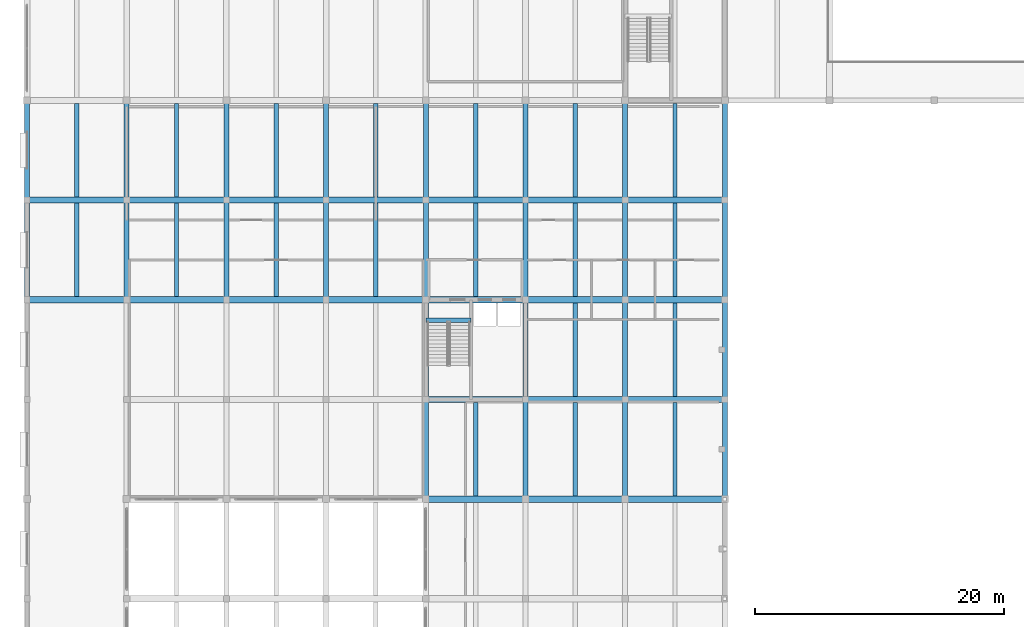
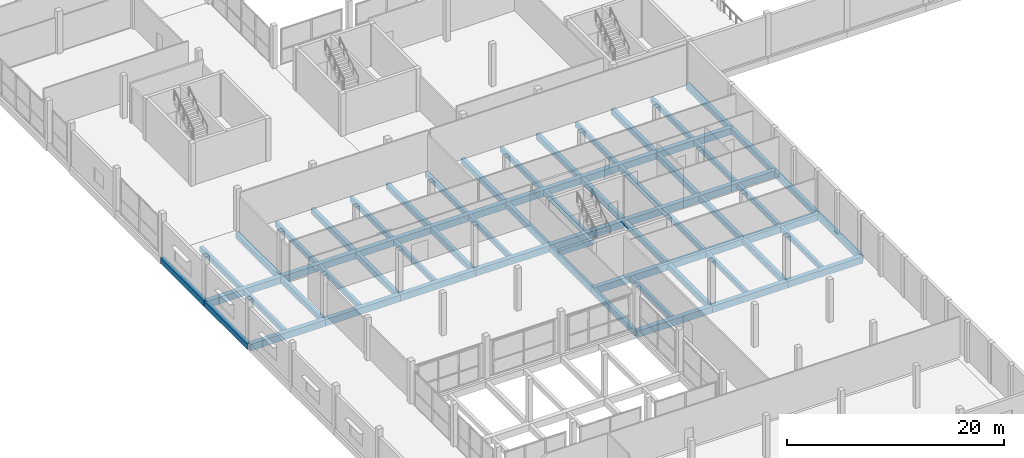
# One storey, part 10 of 47: 64 beams.
"""IFC4 building model written with IfcOpenShell, lengths in metres."""

from ifc_helpers import new_model, si_unit, direction, frame, origin, origin_2d, place, context, subcontext, project, spatial, rectangle, extrude, material, material_profile, profile_set, type_object, element, save


model = new_model("IFC4")

# Units and contexts
model_context = context("Model", 3, precision=1e-05, world=origin(), true_north=direction((0.0, 1.0)))
body_context = subcontext(model_context, "Body", "Model", "MODEL_VIEW")
ifc_project = project(units=[si_unit("LENGTHUNIT", "METRE"), si_unit("AREAUNIT", "SQUARE_METRE"), si_unit("VOLUMEUNIT", "CUBIC_METRE"), si_unit("PLANEANGLEUNIT", "RADIAN"), si_unit("MASSUNIT", "GRAM", prefix="KILO")], contexts=[model_context])

# Site, building, storey
site_placement = place(None, origin())
site = spatial("IfcSite", under=ifc_project, at=site_placement, CompositionType="ELEMENT")
building_placement = place(site_placement, origin())
building = spatial("IfcBuilding", under=site, at=building_placement, Name="Vharandega Faculty of Natural Sciences", CompositionType="ELEMENT")
storey_placement = place(building_placement, frame((0.0, 0.0, 5.39990234375)))
storey = spatial("IfcBuildingStorey", under=building, at=storey_placement, Name="L01", CompositionType="ELEMENT", Elevation=5.39990234375)

# Beams
ifc_material_1 = material(Name="Concrete C40/50", Category="concrete")
ifc_material_profile_1 = material_profile(ifc_material_1, rectangle(XDim=0.39990234375, YDim=0.64990234375, at=origin_2d()), Name="RC 400x650")
ifc_profile_set_1 = profile_set([ifc_material_profile_1], Name="Concrete C40/50")
beam_type_1 = type_object("IfcBeamType", Name="Podium Floor Beam 400x650", PredefinedType="BEAM", material=ifc_profile_set_1)
for number, where, z_axis, x_axis, name in (
    (1, (0.0, 48.0, -0.60498046875), (0.0, 1.0, 0.0), (-1.0, 0.0, 0.0), "Beam L01 1/G-H"),
    (2, (0.0, 56.0, -0.60498046875), (0.0, 1.0, 0.0), (-1.0, 0.0, 0.0), "Beam L01 1/H-J"),
    (3, (8.0, 48.0, -0.60498046875), (0.0, 1.0, 0.0), (-1.0, 0.0, 0.0), "Beam L01 2/G-H"),
    (4, (8.0, 56.0, -0.60498046875), (0.0, 1.0, 0.0), (-1.0, 0.0, 0.0), "Beam L01 2/H-J"),
    (5, (16.0, 48.0, -0.60498046875), (0.0, 1.0, 0.0), (-1.0, 0.0, 0.0), "Beam L01 3/G-H"),
    (6, (16.0, 56.0, -0.60498046875), (0.0, 1.0, 0.0), (-1.0, 0.0, 0.0), "Beam L01 3/H-J"),
    (7, (24.0, 48.0, -0.60498046875), (0.0, 1.0, 0.0), (-1.0, 0.0, 0.0), "Beam L01 4/G-H"),
    (8, (24.0, 56.0, -0.60498046875), (0.0, 1.0, 0.0), (-1.0, 0.0, 0.0), "Beam L01 4/H-J"),
    (9, (32.0, 32.0, -0.60498046875), (0.0, 1.0, 0.0), (-1.0, 0.0, 0.0), "Beam L01 5/E-F"),
    (10, (32.0, 40.0, -0.60498046875), (0.0, 1.0, 0.0), (-1.0, 0.0, 0.0), "Beam L01 5/F-G"),
    (11, (32.0, 48.0, -0.60498046875), (0.0, 1.0, 0.0), (-1.0, 0.0, 0.0), "Beam L01 5/G-H"),
    (12, (32.0, 56.0, -0.60498046875), (0.0, 1.0, 0.0), (-1.0, 0.0, 0.0), "Beam L01 5/H-J"),
    (13, (40.0, 32.0, -0.60498046875), (0.0, 1.0, 0.0), (-1.0, 0.0, 0.0), "Beam L01 6/E-F"),
    (14, (40.0, 40.0, -0.60498046875), (0.0, 1.0, 0.0), (-1.0, 0.0, 0.0), "Beam L01 6/F-G"),
    (15, (40.0, 48.0, -0.60498046875), (0.0, 1.0, 0.0), (-1.0, 0.0, 0.0), "Beam L01 6/G-H"),
    (16, (40.0, 56.0, -0.60498046875), (0.0, 1.0, 0.0), (-1.0, 0.0, 0.0), "Beam L01 6/H-J"),
    (17, (48.0, 32.0, -0.60498046875), (0.0, 1.0, 0.0), (-1.0, 0.0, 0.0), "Beam L01 7/E-F"),
    (18, (48.0, 40.0, -0.60498046875), (0.0, 1.0, 0.0), (-1.0, 0.0, 0.0), "Beam L01 7/F-G"),
    (19, (48.0, 48.0, -0.60498046875), (0.0, 1.0, 0.0), (-1.0, 0.0, 0.0), "Beam L01 7/G-H"),
    (20, (48.0, 56.0, -0.60498046875), (0.0, 1.0, 0.0), (-1.0, 0.0, 0.0), "Beam L01 7/H-J"),
    (21, (56.0, 32.0, -0.60498046875), (0.0, 1.0, 0.0), (-1.0, 0.0, 0.0), "Beam L01 8/E-F"),
    (22, (56.0, 40.0, -0.60498046875), (0.0, 1.0, 0.0), (-1.0, 0.0, 0.0), "Beam L01 8/F-G"),
    (23, (56.0, 48.0, -0.60498046875), (0.0, 1.0, 0.0), (-1.0, 0.0, 0.0), "Beam L01 8/G-H"),
    (24, (56.0, 56.0, -0.60498046875), (0.0, 1.0, 0.0), (-1.0, 0.0, 0.0), "Beam L01 8/H-J"),
):
    element("IfcBeam", number, at=place(storey_placement, frame(where, z_axis=z_axis, x_axis=x_axis)), inside=storey, type_object=beam_type_1, Name=name, PredefinedType="BEAM", context=body_context, shape_type="SweptSolid", body=[
        extrude(rectangle(XDim=0.39990234375, YDim=0.64990234375, at=origin_2d()), origin(), (0.0, 0.0, 1.0), 8.0),
    ])
ifc_material_2 = material(Name="Concrete C40/50", Category="concrete")
ifc_material_profile_2 = material_profile(ifc_material_2, rectangle(XDim=0.5, YDim=0.75, at=origin_2d()), Name="RC 500x750")
ifc_profile_set_2 = profile_set([ifc_material_profile_2], Name="Concrete C40/50")
beam_type_2 = type_object("IfcBeamType", Name="Podium Primary Beam 500x750", PredefinedType="BEAM", material=ifc_profile_set_2)
for number, where, z_axis, x_axis, name in (
    (25, (32.0, 32.0, -0.65478515625), (1.0, 0.0, 0.0), (0.0, 1.0, 0.0), "Beam L01 E/5-6"),
    (26, (40.0, 32.0, -0.65478515625), (1.0, 0.0, 0.0), (0.0, 1.0, 0.0), "Beam L01 E/6-7"),
    (27, (48.0, 32.0, -0.65478515625), (1.0, 0.0, 0.0), (0.0, 1.0, 0.0), "Beam L01 E/7-8"),
    (28, (32.0, 40.0, -0.65478515625), (1.0, 0.0, 0.0), (0.0, 1.0, 0.0), "Beam L01 F/5-6"),
    (29, (40.0, 40.0, -0.65478515625), (1.0, 0.0, 0.0), (0.0, 1.0, 0.0), "Beam L01 F/6-7"),
    (30, (48.0, 40.0, -0.65478515625), (1.0, 0.0, 0.0), (0.0, 1.0, 0.0), "Beam L01 F/7-8"),
    (31, (0.0, 48.0, -0.65478515625), (1.0, 0.0, 0.0), (0.0, 1.0, 0.0), "Beam L01 G/1-2"),
    (32, (8.0, 48.0, -0.65478515625), (1.0, 0.0, 0.0), (0.0, 1.0, 0.0), "Beam L01 G/2-3"),
    (33, (16.0, 48.0, -0.65478515625), (1.0, 0.0, 0.0), (0.0, 1.0, 0.0), "Beam L01 G/3-4"),
    (34, (24.0, 48.0, -0.65478515625), (1.0, 0.0, 0.0), (0.0, 1.0, 0.0), "Beam L01 G/4-5"),
    (35, (32.0, 48.0, -0.65478515625), (1.0, 0.0, 0.0), (0.0, 1.0, 0.0), "Beam L01 G/5-6"),
    (36, (40.0, 48.0, -0.65478515625), (1.0, 0.0, 0.0), (0.0, 1.0, 0.0), "Beam L01 G/6-7"),
    (37, (48.0, 48.0, -0.65478515625), (1.0, 0.0, 0.0), (0.0, 1.0, 0.0), "Beam L01 G/7-8"),
    (38, (0.0, 56.0, -0.65478515625), (1.0, 0.0, 0.0), (0.0, 1.0, 0.0), "Beam L01 H/1-2"),
    (39, (8.0, 56.0, -0.65478515625), (1.0, 0.0, 0.0), (0.0, 1.0, 0.0), "Beam L01 H/2-3"),
    (40, (16.0, 56.0, -0.65478515625), (1.0, 0.0, 0.0), (0.0, 1.0, 0.0), "Beam L01 H/3-4"),
    (41, (24.0, 56.0, -0.65478515625), (1.0, 0.0, 0.0), (0.0, 1.0, 0.0), "Beam L01 H/4-5"),
    (42, (32.0, 56.0, -0.65478515625), (1.0, 0.0, 0.0), (0.0, 1.0, 0.0), "Beam L01 H/5-6"),
    (43, (40.0, 56.0, -0.65478515625), (1.0, 0.0, 0.0), (0.0, 1.0, 0.0), "Beam L01 H/6-7"),
    (44, (48.0, 56.0, -0.65478515625), (1.0, 0.0, 0.0), (0.0, 1.0, 0.0), "Beam L01 H/7-8"),
):
    element("IfcBeam", number, at=place(storey_placement, frame(where, z_axis=z_axis, x_axis=x_axis)), inside=storey, type_object=beam_type_2, Name=name, PredefinedType="BEAM", context=body_context, shape_type="SweptSolid", body=[
        extrude(rectangle(XDim=0.5, YDim=0.75, at=origin_2d()), origin(), (0.0, 0.0, 1.0), 8.0),
    ])
ifc_material_3 = material(Name="Concrete C40/50", Category="concrete")
ifc_material_profile_3 = material_profile(ifc_material_3, rectangle(XDim=0.35009765625, YDim=0.550048828125, at=origin_2d()), Name="RC 350x550")
ifc_profile_set_3 = profile_set([ifc_material_profile_3], Name="Concrete C40/50")
beam_type_3 = type_object("IfcBeamType", Name="Podium Secondary Beam 350x550", PredefinedType="JOIST", material=ifc_profile_set_3)
for number, where, z_axis, x_axis, name in (
    (45, (4.0, 48.25, -0.554931640625), (0.0, 1.0, 0.0), (-1.0, 0.0, 0.0), "Secondary Joist L01 1-2/G-H"),
    (46, (4.0, 56.25, -0.554931640625), (0.0, 1.0, 0.0), (-1.0, 0.0, 0.0), "Secondary Joist L01 1-2/H-J"),
    (47, (12.0, 48.25, -0.554931640625), (0.0, 1.0, 0.0), (-1.0, 0.0, 0.0), "Secondary Joist L01 2-3/G-H"),
    (48, (12.0, 56.25, -0.554931640625), (0.0, 1.0, 0.0), (-1.0, 0.0, 0.0), "Secondary Joist L01 2-3/H-J"),
    (49, (20.0, 48.25, -0.554931640625), (0.0, 1.0, 0.0), (-1.0, 0.0, 0.0), "Secondary Joist L01 3-4/G-H"),
    (50, (20.0, 56.25, -0.554931640625), (0.0, 1.0, 0.0), (-1.0, 0.0, 0.0), "Secondary Joist L01 3-4/H-J"),
    (51, (28.0, 48.25, -0.554931640625), (0.0, 1.0, 0.0), (-1.0, 0.0, 0.0), "Secondary Joist L01 4-5/G-H"),
    (52, (28.0, 56.25, -0.554931640625), (0.0, 1.0, 0.0), (-1.0, 0.0, 0.0), "Secondary Joist L01 4-5/H-J"),
    (53, (36.0, 32.25, -0.554931640625), (0.0, 1.0, 0.0), (-1.0, 0.0, 0.0), "Secondary Joist L01 5-6/E-F"),
    (54, (36.0, 48.25, -0.554931640625), (0.0, 1.0, 0.0), (-1.0, 0.0, 0.0), "Secondary Joist L01 5-6/G-H"),
    (55, (36.0, 56.25, -0.554931640625), (0.0, 1.0, 0.0), (-1.0, 0.0, 0.0), "Secondary Joist L01 5-6/H-J"),
    (56, (44.0, 32.25, -0.554931640625), (0.0, 1.0, 0.0), (-1.0, 0.0, 0.0), "Secondary Joist L01 6-7/E-F"),
    (57, (44.0, 40.25, -0.554931640625), (0.0, 1.0, 0.0), (-1.0, 0.0, 0.0), "Secondary Joist L01 6-7/F-G"),
    (58, (44.0, 48.25, -0.554931640625), (0.0, 1.0, 0.0), (-1.0, 0.0, 0.0), "Secondary Joist L01 6-7/G-H"),
    (59, (44.0, 56.25, -0.554931640625), (0.0, 1.0, 0.0), (-1.0, 0.0, 0.0), "Secondary Joist L01 6-7/H-J"),
    (60, (52.0, 32.25, -0.554931640625), (0.0, 1.0, 0.0), (-1.0, 0.0, 0.0), "Secondary Joist L01 7-8/E-F"),
    (61, (52.0, 40.25, -0.554931640625), (0.0, 1.0, 0.0), (-1.0, 0.0, 0.0), "Secondary Joist L01 7-8/F-G"),
    (62, (52.0, 48.25, -0.554931640625), (0.0, 1.0, 0.0), (-1.0, 0.0, 0.0), "Secondary Joist L01 7-8/G-H"),
    (63, (52.0, 56.25, -0.554931640625), (0.0, 1.0, 0.0), (-1.0, 0.0, 0.0), "Secondary Joist L01 7-8/H-J"),
):
    element("IfcBeam", number, at=place(storey_placement, frame(where, z_axis=z_axis, x_axis=x_axis)), inside=storey, type_object=beam_type_3, Name=name, PredefinedType="JOIST", context=body_context, shape_type="SweptSolid", body=[
        extrude(rectangle(XDim=0.35009765625, YDim=0.550048828125, at=origin_2d()), origin(), (0.0, 0.0, 1.0), 7.5),
    ])
ifc_material_4 = material(Name="Concrete C40/50", Category="concrete")
ifc_material_profile_4 = material_profile(ifc_material_4, rectangle(XDim=0.35009765625, YDim=0.550048828125, at=origin_2d()), Name="RC 350x550")
ifc_profile_set_4 = profile_set([ifc_material_profile_4], Name="Concrete C40/50")
beam_type_4 = type_object("IfcBeamType", Name="Stair Header Trimmer Beam 350x550", PredefinedType="BEAM", material=ifc_profile_set_4)
beam_placement = place(storey_placement, frame((32.0, 46.35009765625, -0.27490234375), z_axis=(1.0, 0.0, 0.0), x_axis=(0.0, 1.0, 0.0)))
element("IfcBeam", 64, at=beam_placement, inside=storey, type_object=beam_type_4, Name="Stair Landing Trimmer Beam C3 L01", PredefinedType="BEAM", context=body_context, shape_type="SweptSolid", body=[
    extrude(rectangle(XDim=0.35009765625, YDim=0.550048828125, at=origin_2d()), origin(), (0.0, 0.0, 1.0), 3.639892578125),
])

save(model, "model.ifc")
